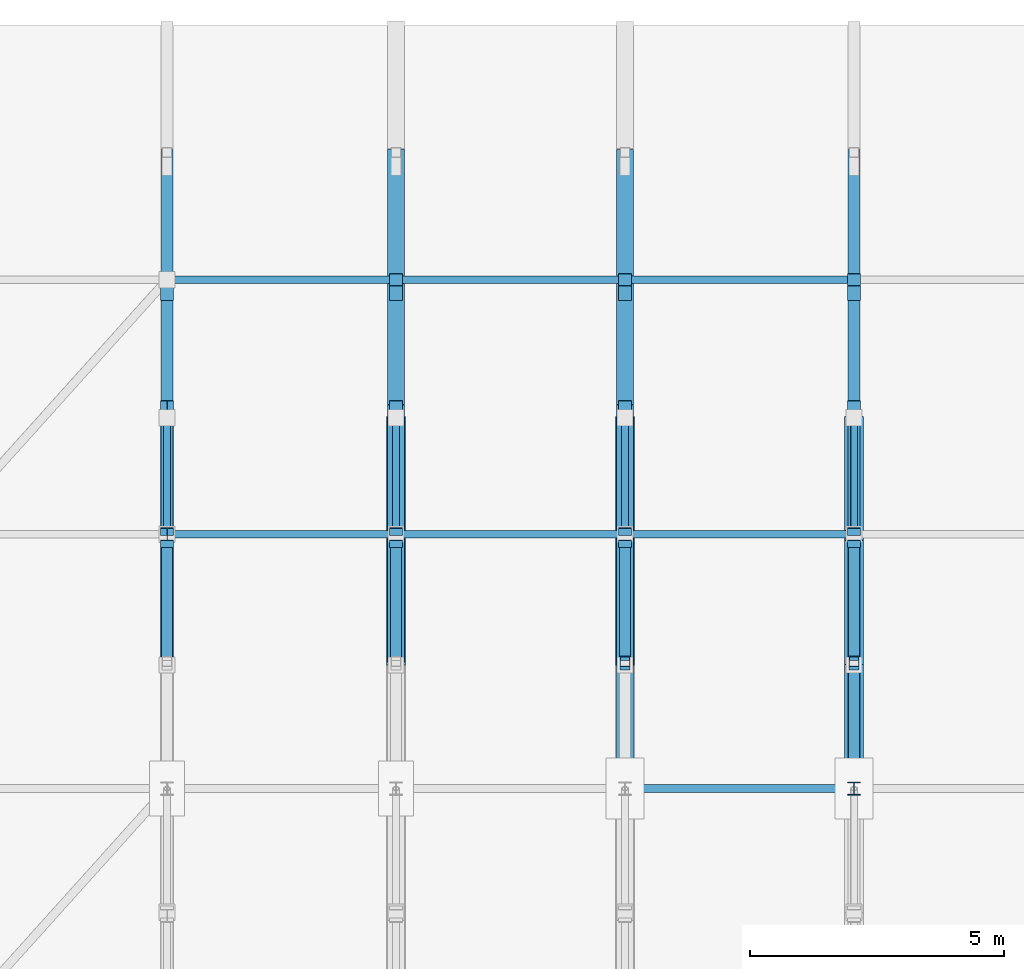
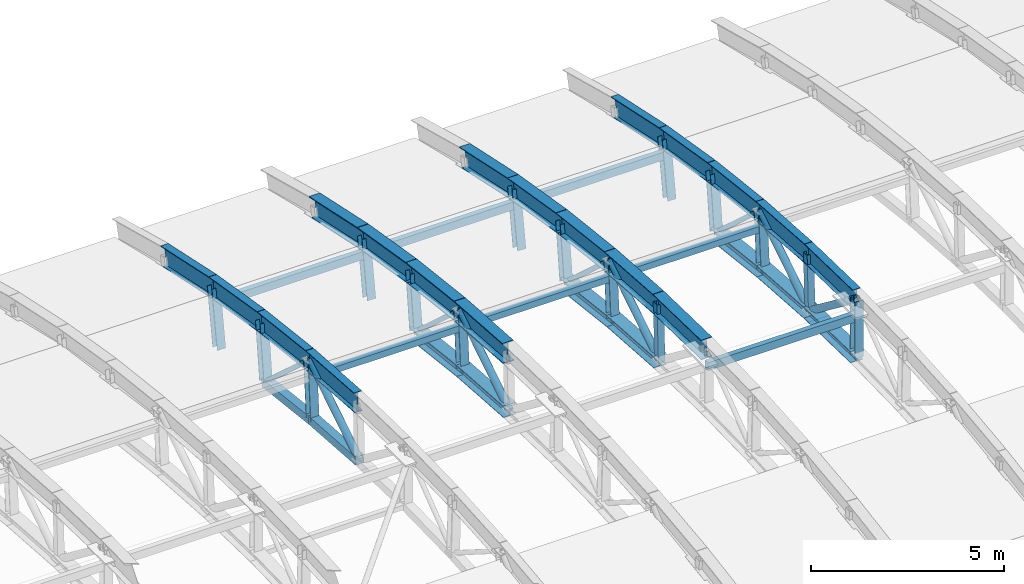
# One storey, part 15 of 53: 40 members, 18 beams.
"""IFC4 building model written with IfcOpenShell, lengths in metres."""

from ifc_helpers import new_model, si_unit, direction, frame, origin, origin_2d, place, context, subcontext, project, spatial, hollow_rectangle, hollow_circle, i_section, extrude, material, material_profile, profile_set, type_object, element, save


model = new_model("IFC4")

# Units and contexts
model_context = context("Model", 3, precision=1e-05, world=origin(), true_north=direction((0.0, 1.0)))
body_context = subcontext(model_context, "Body", "Model", "MODEL_VIEW")
ifc_project = project(units=[si_unit("LENGTHUNIT", "METRE"), si_unit("AREAUNIT", "SQUARE_METRE"), si_unit("VOLUMEUNIT", "CUBIC_METRE"), si_unit("PLANEANGLEUNIT", "RADIAN"), si_unit("MASSUNIT", "GRAM", prefix="KILO")], contexts=[model_context])

# Site, building, storey
site_placement = place(None, origin())
site = spatial("IfcSite", under=ifc_project, at=site_placement, CompositionType="ELEMENT")
building_placement = place(site_placement, origin())
building = spatial("IfcBuilding", under=site, at=building_placement, Name="Cazmaro Siding Exhibition Halls", CompositionType="ELEMENT")
storey_placement = place(building_placement, frame((0.0, 0.0, 21.0)))
storey = spatial("IfcBuildingStorey", under=building, at=storey_placement, Name="L04", CompositionType="ELEMENT", Elevation=21.0)

# Beams
ifc_material_1 = material(Name="Steel ASTM A992 Grade 50", Category="steel")
ifc_material_profile_1 = material_profile(ifc_material_1, i_section(OverallWidth=0.327880859375, OverallDepth=0.626953125, WebThickness=0.01708984375, FlangeThickness=0.028076171875, at=origin_2d()), Name="W24X146")
ifc_profile_set_1 = profile_set([ifc_material_profile_1], Name="Steel ASTM A992 Grade 50")
beam_type_1 = type_object("IfcBeamType", Name="AR-01", PredefinedType="USERDEFINED", material=ifc_profile_set_1)
beam_1_placement = place(storey_placement, frame((85.5, 96.5, 2.44189453125), z_axis=(0.0, 0.997537204184, -0.070139334669), x_axis=(-1.0, 0.0, 0.0)))
element("IfcBeam", 1, at=beam_1_placement, inside=storey, type_object=beam_type_1, Name="Space frame barrel vault arched rib AR-01 BM-0764", ObjectType="ARCHED RIB", PredefinedType="USERDEFINED", context=body_context, shape_type="SweptSolid", body=[
    extrude(i_section(OverallWidth=0.327880859375, OverallDepth=0.626953125, WebThickness=0.01708984375, FlangeThickness=0.028076171875, at=origin_2d()), origin(), (0.0, 0.0, 1.0), 2.506103515625),
])
beam_2_placement = place(storey_placement, frame((85.5, 99.0, 2.26611328125), z_axis=(0.0, 0.993147293786, -0.116869383693), x_axis=(-1.0, 0.0, 0.0)))
element("IfcBeam", 2, at=beam_2_placement, inside=storey, type_object=beam_type_1, Name="Space frame barrel vault arched rib AR-01 BM-0765", ObjectType="ARCHED RIB", PredefinedType="USERDEFINED", context=body_context, shape_type="SweptSolid", body=[
    extrude(i_section(OverallWidth=0.327880859375, OverallDepth=0.626953125, WebThickness=0.01708984375, FlangeThickness=0.028076171875, at=origin_2d()), origin(), (0.0, 0.0, 1.0), 2.517333984375),
])
beam_3_placement = place(storey_placement, frame((85.5, 101.5, 1.971923828125), z_axis=(0.0, 0.98649787474, -0.163774061236), x_axis=(-1.0, 0.0, 0.0)))
element("IfcBeam", 3, at=beam_3_placement, inside=storey, type_object=beam_type_1, Name="Space frame barrel vault arched rib AR-01 BM-0766", ObjectType="ARCHED RIB", PredefinedType="USERDEFINED", context=body_context, shape_type="SweptSolid", body=[
    extrude(i_section(OverallWidth=0.327880859375, OverallDepth=0.626953125, WebThickness=0.01708984375, FlangeThickness=0.028076171875, at=origin_2d()), origin(), (0.0, 0.0, 1.0), 2.5341796875),
])
beam_4_placement = place(storey_placement, frame((85.5, 104.0, 1.556884765625), z_axis=(0.0, 0.977710100146, -0.209959424826), x_axis=(-1.0, 0.0, 0.0)))
element("IfcBeam", 4, at=beam_4_placement, inside=storey, type_object=beam_type_1, Name="Space frame barrel vault arched rib AR-01 BM-0767", ObjectType="ARCHED RIB", PredefinedType="USERDEFINED", context=body_context, shape_type="SweptSolid", body=[
    extrude(i_section(OverallWidth=0.327880859375, OverallDepth=0.626953125, WebThickness=0.01708984375, FlangeThickness=0.028076171875, at=origin_2d()), origin(), (0.0, 0.0, 1.0), 2.556884765625),
])
ifc_material_2 = material(Name="Steel ASTM A992 Grade 50", Category="steel")
ifc_material_profile_2 = material_profile(ifc_material_2, i_section(OverallWidth=0.324951171875, OverallDepth=0.612060546875, WebThickness=0.012939453125, FlangeThickness=0.01904296875, at=origin_2d()), Name="W24X104")
ifc_profile_set_2 = profile_set([ifc_material_profile_2], Name="Steel ASTM A992 Grade 50")
beam_type_2 = type_object("IfcBeamType", Name="AR-02", PredefinedType="USERDEFINED", material=ifc_profile_set_2)
beam_5_placement = place(storey_placement, frame((90.0, 94.0, 2.5), z_axis=(0.0, 0.999730009742, -0.023235912336), x_axis=(-1.0, 0.0, 0.0)))
element("IfcBeam", 5, at=beam_5_placement, inside=storey, type_object=beam_type_2, Name="Space frame barrel vault arched rib AR-02 BM-0787", ObjectType="ARCHED RIB", PredefinedType="USERDEFINED", context=body_context, shape_type="SweptSolid", body=[
    extrude(i_section(OverallWidth=0.324951171875, OverallDepth=0.612060546875, WebThickness=0.012939453125, FlangeThickness=0.01904296875, at=origin_2d()), origin(), (0.0, 0.0, 1.0), 2.500732421875),
])
beam_6_placement = place(storey_placement, frame((90.0, 96.5, 2.44189453125), z_axis=(0.0, 0.997537204184, -0.070139334669), x_axis=(-1.0, 0.0, 0.0)))
element("IfcBeam", 6, at=beam_6_placement, inside=storey, type_object=beam_type_2, Name="Space frame barrel vault arched rib AR-02 BM-0788", ObjectType="ARCHED RIB", PredefinedType="USERDEFINED", context=body_context, shape_type="SweptSolid", body=[
    extrude(i_section(OverallWidth=0.324951171875, OverallDepth=0.612060546875, WebThickness=0.012939453125, FlangeThickness=0.01904296875, at=origin_2d()), origin(), (0.0, 0.0, 1.0), 2.506103515625),
])
beam_7_placement = place(storey_placement, frame((90.0, 99.0, 2.26611328125), z_axis=(0.0, 0.993147293786, -0.116869383693), x_axis=(-1.0, 0.0, 0.0)))
element("IfcBeam", 7, at=beam_7_placement, inside=storey, type_object=beam_type_2, Name="Space frame barrel vault arched rib AR-02 BM-0789", ObjectType="ARCHED RIB", PredefinedType="USERDEFINED", context=body_context, shape_type="SweptSolid", body=[
    extrude(i_section(OverallWidth=0.324951171875, OverallDepth=0.612060546875, WebThickness=0.012939453125, FlangeThickness=0.01904296875, at=origin_2d()), origin(), (0.0, 0.0, 1.0), 2.517333984375),
])
beam_8_placement = place(storey_placement, frame((90.0, 101.5, 1.971923828125), z_axis=(0.0, 0.98649787474, -0.163774061236), x_axis=(-1.0, 0.0, 0.0)))
element("IfcBeam", 8, at=beam_8_placement, inside=storey, type_object=beam_type_2, Name="Space frame barrel vault arched rib AR-02 BM-0790", ObjectType="ARCHED RIB", PredefinedType="USERDEFINED", context=body_context, shape_type="SweptSolid", body=[
    extrude(i_section(OverallWidth=0.324951171875, OverallDepth=0.612060546875, WebThickness=0.012939453125, FlangeThickness=0.01904296875, at=origin_2d()), origin(), (0.0, 0.0, 1.0), 2.5341796875),
])
beam_9_placement = place(storey_placement, frame((90.0, 104.0, 1.556884765625), z_axis=(0.0, 0.977710100146, -0.209959424826), x_axis=(-1.0, 0.0, 0.0)))
element("IfcBeam", 9, at=beam_9_placement, inside=storey, type_object=beam_type_2, Name="Space frame barrel vault arched rib AR-02 BM-0791", ObjectType="ARCHED RIB", PredefinedType="USERDEFINED", context=body_context, shape_type="SweptSolid", body=[
    extrude(i_section(OverallWidth=0.324951171875, OverallDepth=0.612060546875, WebThickness=0.012939453125, FlangeThickness=0.01904296875, at=origin_2d()), origin(), (0.0, 0.0, 1.0), 2.556884765625),
])
ifc_material_3 = material(Name="Steel ASTM A992 Grade 50", Category="steel")
ifc_material_profile_3 = material_profile(ifc_material_3, i_section(OverallWidth=0.22900390625, OverallDepth=0.612060546875, WebThickness=0.011962890625, FlangeThickness=0.02001953125, at=origin_2d()), Name="W24X84")
ifc_profile_set_3 = profile_set([ifc_material_profile_3], Name="Steel ASTM A992 Grade 50")
beam_type_3 = type_object("IfcBeamType", Name="AR-03", PredefinedType="USERDEFINED", material=ifc_profile_set_3)
beam_10_placement = place(storey_placement, frame((81.0, 96.5, 2.44189453125), z_axis=(0.0, 0.997537204184, -0.070139334669), x_axis=(-1.0, 0.0, 0.0)))
element("IfcBeam", 10, at=beam_10_placement, inside=storey, type_object=beam_type_3, Name="Space frame barrel vault arched rib AR-03 BM-0740", ObjectType="ARCHED RIB", PredefinedType="USERDEFINED", context=body_context, shape_type="SweptSolid", body=[
    extrude(i_section(OverallWidth=0.22900390625, OverallDepth=0.612060546875, WebThickness=0.011962890625, FlangeThickness=0.02001953125, at=origin_2d()), origin(), (0.0, 0.0, 1.0), 2.506103515625),
])
beam_11_placement = place(storey_placement, frame((81.0, 99.0, 2.26611328125), z_axis=(0.0, 0.993147293786, -0.116869383693), x_axis=(-1.0, 0.0, 0.0)))
element("IfcBeam", 11, at=beam_11_placement, inside=storey, type_object=beam_type_3, Name="Space frame barrel vault arched rib AR-03 BM-0741", ObjectType="ARCHED RIB", PredefinedType="USERDEFINED", context=body_context, shape_type="SweptSolid", body=[
    extrude(i_section(OverallWidth=0.22900390625, OverallDepth=0.612060546875, WebThickness=0.011962890625, FlangeThickness=0.02001953125, at=origin_2d()), origin(), (0.0, 0.0, 1.0), 2.517333984375),
])
beam_12_placement = place(storey_placement, frame((81.0, 101.5, 1.971923828125), z_axis=(0.0, 0.98649787474, -0.163774061236), x_axis=(-1.0, 0.0, 0.0)))
element("IfcBeam", 12, at=beam_12_placement, inside=storey, type_object=beam_type_3, Name="Space frame barrel vault arched rib AR-03 BM-0742", ObjectType="ARCHED RIB", PredefinedType="USERDEFINED", context=body_context, shape_type="SweptSolid", body=[
    extrude(i_section(OverallWidth=0.22900390625, OverallDepth=0.612060546875, WebThickness=0.011962890625, FlangeThickness=0.02001953125, at=origin_2d()), origin(), (0.0, 0.0, 1.0), 2.5341796875),
])
beam_13_placement = place(storey_placement, frame((81.0, 104.0, 1.556884765625), z_axis=(0.0, 0.977710100146, -0.209959424826), x_axis=(-1.0, 0.0, 0.0)))
element("IfcBeam", 13, at=beam_13_placement, inside=storey, type_object=beam_type_3, Name="Space frame barrel vault arched rib AR-03 BM-0743", ObjectType="ARCHED RIB", PredefinedType="USERDEFINED", context=body_context, shape_type="SweptSolid", body=[
    extrude(i_section(OverallWidth=0.22900390625, OverallDepth=0.612060546875, WebThickness=0.011962890625, FlangeThickness=0.02001953125, at=origin_2d()), origin(), (0.0, 0.0, 1.0), 2.556884765625),
])
beam_14_placement = place(storey_placement, frame((94.5, 94.0, 2.5), z_axis=(0.0, 0.999730009742, -0.023235912336), x_axis=(-1.0, 0.0, 0.0)))
element("IfcBeam", 14, at=beam_14_placement, inside=storey, type_object=beam_type_3, Name="Space frame barrel vault arched rib AR-03 BM-0811", ObjectType="ARCHED RIB", PredefinedType="USERDEFINED", context=body_context, shape_type="SweptSolid", body=[
    extrude(i_section(OverallWidth=0.22900390625, OverallDepth=0.612060546875, WebThickness=0.011962890625, FlangeThickness=0.02001953125, at=origin_2d()), origin(), (0.0, 0.0, 1.0), 2.500732421875),
])
beam_15_placement = place(storey_placement, frame((94.5, 96.5, 2.44189453125), z_axis=(0.0, 0.997537204184, -0.070139334669), x_axis=(-1.0, 0.0, 0.0)))
element("IfcBeam", 15, at=beam_15_placement, inside=storey, type_object=beam_type_3, Name="Space frame barrel vault arched rib AR-03 BM-0812", ObjectType="ARCHED RIB", PredefinedType="USERDEFINED", context=body_context, shape_type="SweptSolid", body=[
    extrude(i_section(OverallWidth=0.22900390625, OverallDepth=0.612060546875, WebThickness=0.011962890625, FlangeThickness=0.02001953125, at=origin_2d()), origin(), (0.0, 0.0, 1.0), 2.506103515625),
])
beam_16_placement = place(storey_placement, frame((94.5, 99.0, 2.26611328125), z_axis=(0.0, 0.993147293786, -0.116869383693), x_axis=(-1.0, 0.0, 0.0)))
element("IfcBeam", 16, at=beam_16_placement, inside=storey, type_object=beam_type_3, Name="Space frame barrel vault arched rib AR-03 BM-0813", ObjectType="ARCHED RIB", PredefinedType="USERDEFINED", context=body_context, shape_type="SweptSolid", body=[
    extrude(i_section(OverallWidth=0.22900390625, OverallDepth=0.612060546875, WebThickness=0.011962890625, FlangeThickness=0.02001953125, at=origin_2d()), origin(), (0.0, 0.0, 1.0), 2.517333984375),
])
beam_17_placement = place(storey_placement, frame((94.5, 101.5, 1.971923828125), z_axis=(0.0, 0.98649787474, -0.163774061236), x_axis=(-1.0, 0.0, 0.0)))
element("IfcBeam", 17, at=beam_17_placement, inside=storey, type_object=beam_type_3, Name="Space frame barrel vault arched rib AR-03 BM-0814", ObjectType="ARCHED RIB", PredefinedType="USERDEFINED", context=body_context, shape_type="SweptSolid", body=[
    extrude(i_section(OverallWidth=0.22900390625, OverallDepth=0.612060546875, WebThickness=0.011962890625, FlangeThickness=0.02001953125, at=origin_2d()), origin(), (0.0, 0.0, 1.0), 2.5341796875),
])
beam_18_placement = place(storey_placement, frame((94.5, 104.0, 1.556884765625), z_axis=(0.0, 0.977710100146, -0.209959424826), x_axis=(-1.0, 0.0, 0.0)))
element("IfcBeam", 18, at=beam_18_placement, inside=storey, type_object=beam_type_3, Name="Space frame barrel vault arched rib AR-03 BM-0815", ObjectType="ARCHED RIB", PredefinedType="USERDEFINED", context=body_context, shape_type="SweptSolid", body=[
    extrude(i_section(OverallWidth=0.22900390625, OverallDepth=0.612060546875, WebThickness=0.011962890625, FlangeThickness=0.02001953125, at=origin_2d()), origin(), (0.0, 0.0, 1.0), 2.556884765625),
])

# Members
ifc_material_4 = material(Name="Steel ASTM A500 Grade C", Category="steel")
ifc_material_profile_4 = material_profile(ifc_material_4, hollow_rectangle(XDim=0.152099609375, YDim=0.202880859375, WallThickness=0.011962890625, at=origin_2d()), Name="HSS8X6X1/2")
ifc_profile_set_4 = profile_set([ifc_material_profile_4], Name="Steel ASTM A500 Grade C")
member_type_1 = type_object("IfcMemberType", Name="RP-01", PredefinedType="PURLIN", material=ifc_profile_set_4)
for number, where, z_axis, x_axis, name in (
    (19, (81.0, 99.0, 1.72607421875), (1.0, 0.0, 0.0), (0.0, 1.0, 0.0), "Space frame barrel vault purlin RP-01 MEM-2070"),
    (20, (85.5, 99.0, 1.72607421875), (1.0, 0.0, 0.0), (0.0, 1.0, 0.0), "Space frame barrel vault purlin RP-01 MEM-2081"),
    (21, (90.0, 99.0, 1.72607421875), (1.0, 0.0, 0.0), (0.0, 1.0, 0.0), "Space frame barrel vault purlin RP-01 MEM-2092"),
):
    element("IfcMember", number, at=place(storey_placement, frame(where, z_axis=z_axis, x_axis=x_axis)), inside=storey, type_object=member_type_1, Name=name, PredefinedType="PURLIN", context=body_context, shape_type="SweptSolid", body=[
        extrude(hollow_rectangle(XDim=0.152099609375, YDim=0.202880859375, WallThickness=0.011962890625, at=origin_2d()), origin(), (0.0, 0.0, 1.0), 4.5),
    ])
ifc_material_5 = material(Name="Steel ASTM A500 Grade C", Category="steel")
ifc_material_profile_5 = material_profile(ifc_material_5, hollow_rectangle(XDim=0.152099609375, YDim=0.25390625, WallThickness=0.011962890625, at=origin_2d()), Name="HSS10X6X1/2")
ifc_profile_set_5 = profile_set([ifc_material_profile_5], Name="Steel ASTM A500 Grade C")
member_type_2 = type_object("IfcMemberType", Name="RP-04", PredefinedType="PURLIN", material=ifc_profile_set_5)
for number, where, z_axis, x_axis, name in (
    (22, (81.0, 104.0, 1.01708984375), (1.0, 0.0, 0.0), (0.0, 1.0, 0.0), "Space frame barrel vault purlin RP-04 MEM-2071"),
    (23, (85.5, 104.0, 1.01708984375), (1.0, 0.0, 0.0), (0.0, 1.0, 0.0), "Space frame barrel vault purlin RP-04 MEM-2082"),
    (24, (90.0, 94.0, 1.9599609375), (1.0, 0.0, 0.0), (0.0, 1.0, 0.0), "Space frame barrel vault purlin RP-04 MEM-2091"),
    (25, (90.0, 104.0, 1.01708984375), (1.0, 0.0, 0.0), (0.0, 1.0, 0.0), "Space frame barrel vault purlin RP-04 MEM-2093"),
):
    element("IfcMember", number, at=place(storey_placement, frame(where, z_axis=z_axis, x_axis=x_axis)), inside=storey, type_object=member_type_2, Name=name, PredefinedType="PURLIN", context=body_context, shape_type="SweptSolid", body=[
        extrude(hollow_rectangle(XDim=0.152099609375, YDim=0.25390625, WallThickness=0.011962890625, at=origin_2d()), origin(), (0.0, 0.0, 1.0), 4.5),
    ])
ifc_material_6 = material(Name="Steel ASTM A500 Grade C", Category="steel")
ifc_material_profile_6 = material_profile(ifc_material_6, hollow_rectangle(XDim=0.25390625, YDim=0.25390625, WallThickness=0.014892578125, at=origin_2d()), Name="HSS10X10X5/8")
ifc_profile_set_6 = profile_set([ifc_material_profile_6], Name="Steel ASTM A500 Grade C")
member_type_3 = type_object("IfcMemberType", Name="TC-01", PredefinedType="CHORD", material=ifc_profile_set_6)
member_1_placement = place(storey_placement, frame((81.0, 96.429931640625, 0.64404296875), z_axis=(0.0, 0.997529419526, -0.070249962135), x_axis=(-1.0, 0.0, 0.0)))
element("IfcMember", 26, at=member_1_placement, inside=storey, type_object=member_type_3, Name="Space frame barrel vault bottom chord TC-01 MEM-0547", PredefinedType="CHORD", context=body_context, shape_type="SweptSolid", body=[
    extrude(hollow_rectangle(XDim=0.25390625, YDim=0.25390625, WallThickness=0.014892578125, at=origin_2d()), origin(), (0.0, 0.0, 1.0), 2.436279296875),
])
member_2_placement = place(storey_placement, frame((81.0, 98.860107421875, 0.472900390625), z_axis=(0.0, 0.993149923187, -0.116847037079), x_axis=(-1.0, 0.0, 0.0)))
element("IfcMember", 27, at=member_2_placement, inside=storey, type_object=member_type_3, Name="Space frame barrel vault bottom chord TC-01 MEM-0549", PredefinedType="CHORD", context=body_context, shape_type="SweptSolid", body=[
    extrude(hollow_rectangle(XDim=0.25390625, YDim=0.25390625, WallThickness=0.014892578125, at=origin_2d()), origin(), (0.0, 0.0, 1.0), 2.44677734375),
])
ifc_material_7 = material(Name="Steel ASTM A992 Grade 50", Category="steel")
ifc_material_profile_7 = material_profile(ifc_material_7, i_section(OverallWidth=0.37109375, OverallDepth=0.364013671875, WebThickness=0.012939453125, FlangeThickness=0.02197265625, at=origin_2d()), Name="W14X109")
ifc_profile_set_7 = profile_set([ifc_material_profile_7], Name="Steel ASTM A992 Grade 50")
member_type_4 = type_object("IfcMemberType", Name="TC-06", PredefinedType="CHORD", material=ifc_profile_set_7)
member_3_placement = place(storey_placement, frame((85.5, 96.429931640625, 0.64404296875), z_axis=(0.0, 0.997529419526, -0.070249962135), x_axis=(-1.0, 0.0, 0.0)))
element("IfcMember", 28, at=member_3_placement, inside=storey, type_object=member_type_4, Name="Space frame barrel vault bottom chord TC-06 MEM-0618", PredefinedType="CHORD", context=body_context, shape_type="SweptSolid", body=[
    extrude(i_section(OverallWidth=0.37109375, OverallDepth=0.364013671875, WebThickness=0.012939453125, FlangeThickness=0.02197265625, at=origin_2d()), origin(), (0.0, 0.0, 1.0), 2.436279296875),
])
member_4_placement = place(storey_placement, frame((85.5, 98.860107421875, 0.472900390625), z_axis=(0.0, 0.993149923187, -0.116847037079), x_axis=(-1.0, 0.0, 0.0)))
element("IfcMember", 29, at=member_4_placement, inside=storey, type_object=member_type_4, Name="Space frame barrel vault bottom chord TC-06 MEM-0620", PredefinedType="CHORD", context=body_context, shape_type="SweptSolid", body=[
    extrude(i_section(OverallWidth=0.37109375, OverallDepth=0.364013671875, WebThickness=0.012939453125, FlangeThickness=0.02197265625, at=origin_2d()), origin(), (0.0, 0.0, 1.0), 2.44677734375),
])
member_5_placement = place(storey_placement, frame((90.0, 96.429931640625, 0.64404296875), z_axis=(0.0, 0.997529419526, -0.070249962135), x_axis=(-1.0, 0.0, 0.0)))
element("IfcMember", 30, at=member_5_placement, inside=storey, type_object=member_type_4, Name="Space frame barrel vault bottom chord TC-06 MEM-0689", PredefinedType="CHORD", context=body_context, shape_type="SweptSolid", body=[
    extrude(i_section(OverallWidth=0.37109375, OverallDepth=0.364013671875, WebThickness=0.012939453125, FlangeThickness=0.02197265625, at=origin_2d()), origin(), (0.0, 0.0, 1.0), 2.436279296875),
])
member_6_placement = place(storey_placement, frame((90.0, 98.860107421875, 0.472900390625), z_axis=(0.0, 0.993149923187, -0.116847037079), x_axis=(-1.0, 0.0, 0.0)))
element("IfcMember", 31, at=member_6_placement, inside=storey, type_object=member_type_4, Name="Space frame barrel vault bottom chord TC-06 MEM-0691", PredefinedType="CHORD", context=body_context, shape_type="SweptSolid", body=[
    extrude(i_section(OverallWidth=0.37109375, OverallDepth=0.364013671875, WebThickness=0.012939453125, FlangeThickness=0.02197265625, at=origin_2d()), origin(), (0.0, 0.0, 1.0), 2.44677734375),
])
member_7_placement = place(storey_placement, frame((94.5, 94.0, 0.699951171875), z_axis=(0.0, 0.99973541783, -0.023002050707), x_axis=(-1.0, 0.0, 0.0)))
element("IfcMember", 32, at=member_7_placement, inside=storey, type_object=member_type_4, Name="Space frame barrel vault bottom chord TC-06 MEM-0758", PredefinedType="CHORD", context=body_context, shape_type="SweptSolid", body=[
    extrude(i_section(OverallWidth=0.37109375, OverallDepth=0.364013671875, WebThickness=0.012939453125, FlangeThickness=0.02197265625, at=origin_2d()), origin(), (0.0, 0.0, 1.0), 2.4306640625),
])
member_8_placement = place(storey_placement, frame((94.5, 96.429931640625, 0.64404296875), z_axis=(0.0, 0.997529419526, -0.070249962135), x_axis=(-1.0, 0.0, 0.0)))
element("IfcMember", 33, at=member_8_placement, inside=storey, type_object=member_type_4, Name="Space frame barrel vault bottom chord TC-06 MEM-0760", PredefinedType="CHORD", context=body_context, shape_type="SweptSolid", body=[
    extrude(i_section(OverallWidth=0.37109375, OverallDepth=0.364013671875, WebThickness=0.012939453125, FlangeThickness=0.02197265625, at=origin_2d()), origin(), (0.0, 0.0, 1.0), 2.436279296875),
])
member_9_placement = place(storey_placement, frame((94.5, 98.860107421875, 0.472900390625), z_axis=(0.0, 0.993149923187, -0.116847037079), x_axis=(-1.0, 0.0, 0.0)))
element("IfcMember", 34, at=member_9_placement, inside=storey, type_object=member_type_4, Name="Space frame barrel vault bottom chord TC-06 MEM-0762", PredefinedType="CHORD", context=body_context, shape_type="SweptSolid", body=[
    extrude(i_section(OverallWidth=0.37109375, OverallDepth=0.364013671875, WebThickness=0.012939453125, FlangeThickness=0.02197265625, at=origin_2d()), origin(), (0.0, 0.0, 1.0), 2.44677734375),
])
ifc_material_8 = material(Name="Steel ASTM A500 Grade C", Category="steel")
ifc_material_profile_8 = material_profile(ifc_material_8, hollow_rectangle(XDim=0.202880859375, YDim=0.202880859375, WallThickness=0.011962890625, at=origin_2d()), Name="HSS8X8X1/2")
ifc_profile_set_8 = profile_set([ifc_material_profile_8], Name="Steel ASTM A500 Grade C")
member_type_5 = type_object("IfcMemberType", Name="TP-01", PredefinedType="POST", material=ifc_profile_set_8)
for number, where, z_axis, x_axis, name in (
    (35, (90.0, 96.429931640625, 0.64404296875), (0.0, 0.038943818889, 0.999241401749), (-1.0, 0.0, 0.0), "Space frame barrel vault post TP-01 MEM-0723"),
    (36, (94.5, 96.429931640625, 0.64404296875), (0.0, 0.038943818889, 0.999241401749), (-1.0, 0.0, 0.0), "Space frame barrel vault post TP-01 MEM-0794"),
):
    element("IfcMember", number, at=place(storey_placement, frame(where, z_axis=z_axis, x_axis=x_axis)), inside=storey, type_object=member_type_5, Name=name, PredefinedType="POST", context=body_context, shape_type="SweptSolid", body=[
        extrude(hollow_rectangle(XDim=0.202880859375, YDim=0.202880859375, WallThickness=0.011962890625, at=origin_2d()), origin(), (0.0, 0.0, 1.0), 1.79931640625),
    ])
ifc_material_9 = material(Name="Steel ASTM A992 Grade 50", Category="steel")
ifc_material_profile_9 = material_profile(ifc_material_9, i_section(OverallWidth=0.25390625, OverallDepth=0.25390625, WebThickness=0.009033203125, FlangeThickness=0.013916015625, at=origin_2d()), Name="W10X49")
ifc_profile_set_9 = profile_set([ifc_material_profile_9], Name="Steel ASTM A992 Grade 50")
member_type_6 = type_object("IfcMemberType", Name="TP-04", PredefinedType="POST", material=ifc_profile_set_9)
member_10_placement = place(storey_placement, frame((81.0, 98.860107421875, 0.472900390625), z_axis=(0.0, 0.077775943468, 0.996970863475), x_axis=(-1.0, 0.0, 0.0)))
element("IfcMember", 37, at=member_10_placement, inside=storey, type_object=member_type_6, Name="Space frame barrel vault post TP-04 MEM-0582", PredefinedType="POST", context=body_context, shape_type="SweptSolid", body=[
    extrude(i_section(OverallWidth=0.25390625, OverallDepth=0.25390625, WebThickness=0.009033203125, FlangeThickness=0.013916015625, at=origin_2d()), origin(), (0.0, 0.0, 1.0), 1.798583984375),
])
member_11_placement = place(storey_placement, frame((81.0, 101.2900390625, 0.18701171875), z_axis=(0.0, 0.116825484133, 0.993152458718), x_axis=(-1.0, 0.0, 0.0)))
element("IfcMember", 38, at=member_11_placement, inside=storey, type_object=member_type_6, Name="Space frame barrel vault post TP-04 MEM-0583", PredefinedType="POST", context=body_context, shape_type="SweptSolid", body=[
    extrude(i_section(OverallWidth=0.25390625, OverallDepth=0.25390625, WebThickness=0.009033203125, FlangeThickness=0.013916015625, at=origin_2d()), origin(), (0.0, 0.0, 1.0), 1.797119140625),
])
member_12_placement = place(storey_placement, frame((81.0, 103.719970703125, -0.217041015625), z_axis=(0.0, 0.155927668857, 0.987768475952), x_axis=(-1.0, 0.0, 0.0)))
element("IfcMember", 39, at=member_12_placement, inside=storey, type_object=member_type_6, Name="Space frame barrel vault post TP-04 MEM-0584", PredefinedType="POST", context=body_context, shape_type="SweptSolid", body=[
    extrude(i_section(OverallWidth=0.25390625, OverallDepth=0.25390625, WebThickness=0.009033203125, FlangeThickness=0.013916015625, at=origin_2d()), origin(), (0.0, 0.0, 1.0), 1.7958984375),
])
member_13_placement = place(storey_placement, frame((85.5, 98.860107421875, 0.472900390625), z_axis=(0.0, 0.077775943468, 0.996970863475), x_axis=(-1.0, 0.0, 0.0)))
element("IfcMember", 40, at=member_13_placement, inside=storey, type_object=member_type_6, Name="Space frame barrel vault post TP-04 MEM-0653", PredefinedType="POST", context=body_context, shape_type="SweptSolid", body=[
    extrude(i_section(OverallWidth=0.25390625, OverallDepth=0.25390625, WebThickness=0.009033203125, FlangeThickness=0.013916015625, at=origin_2d()), origin(), (0.0, 0.0, 1.0), 1.798583984375),
])
member_14_placement = place(storey_placement, frame((85.5, 101.2900390625, 0.18701171875), z_axis=(0.0, 0.116825484133, 0.993152458718), x_axis=(-1.0, 0.0, 0.0)))
element("IfcMember", 41, at=member_14_placement, inside=storey, type_object=member_type_6, Name="Space frame barrel vault post TP-04 MEM-0654", PredefinedType="POST", context=body_context, shape_type="SweptSolid", body=[
    extrude(i_section(OverallWidth=0.25390625, OverallDepth=0.25390625, WebThickness=0.009033203125, FlangeThickness=0.013916015625, at=origin_2d()), origin(), (0.0, 0.0, 1.0), 1.797119140625),
])
member_15_placement = place(storey_placement, frame((85.5, 103.719970703125, -0.217041015625), z_axis=(0.0, 0.155927668857, 0.987768475952), x_axis=(-1.0, 0.0, 0.0)))
element("IfcMember", 42, at=member_15_placement, inside=storey, type_object=member_type_6, Name="Space frame barrel vault post TP-04 MEM-0655", PredefinedType="POST", context=body_context, shape_type="SweptSolid", body=[
    extrude(i_section(OverallWidth=0.25390625, OverallDepth=0.25390625, WebThickness=0.009033203125, FlangeThickness=0.013916015625, at=origin_2d()), origin(), (0.0, 0.0, 1.0), 1.7958984375),
])
member_16_placement = place(storey_placement, frame((90.0, 98.860107421875, 0.472900390625), z_axis=(0.0, 0.077775943468, 0.996970863475), x_axis=(-1.0, 0.0, 0.0)))
element("IfcMember", 43, at=member_16_placement, inside=storey, type_object=member_type_6, Name="Space frame barrel vault post TP-04 MEM-0724", PredefinedType="POST", context=body_context, shape_type="SweptSolid", body=[
    extrude(i_section(OverallWidth=0.25390625, OverallDepth=0.25390625, WebThickness=0.009033203125, FlangeThickness=0.013916015625, at=origin_2d()), origin(), (0.0, 0.0, 1.0), 1.798583984375),
])
member_17_placement = place(storey_placement, frame((90.0, 101.2900390625, 0.18701171875), z_axis=(0.0, 0.116825484133, 0.993152458718), x_axis=(-1.0, 0.0, 0.0)))
element("IfcMember", 44, at=member_17_placement, inside=storey, type_object=member_type_6, Name="Space frame barrel vault post TP-04 MEM-0725", PredefinedType="POST", context=body_context, shape_type="SweptSolid", body=[
    extrude(i_section(OverallWidth=0.25390625, OverallDepth=0.25390625, WebThickness=0.009033203125, FlangeThickness=0.013916015625, at=origin_2d()), origin(), (0.0, 0.0, 1.0), 1.797119140625),
])
member_18_placement = place(storey_placement, frame((90.0, 103.719970703125, -0.217041015625), z_axis=(0.0, 0.155927668857, 0.987768475952), x_axis=(-1.0, 0.0, 0.0)))
element("IfcMember", 45, at=member_18_placement, inside=storey, type_object=member_type_6, Name="Space frame barrel vault post TP-04 MEM-0726", PredefinedType="POST", context=body_context, shape_type="SweptSolid", body=[
    extrude(i_section(OverallWidth=0.25390625, OverallDepth=0.25390625, WebThickness=0.009033203125, FlangeThickness=0.013916015625, at=origin_2d()), origin(), (0.0, 0.0, 1.0), 1.7958984375),
])
member_19_placement = place(storey_placement, frame((94.5, 94.0, 0.699951171875), z_axis=(0.0, 0.0, 1.0), x_axis=(1.0, 0.0, 0.0)))
element("IfcMember", 46, at=member_19_placement, inside=storey, type_object=member_type_6, Name="Space frame barrel vault post TP-04 MEM-0793", PredefinedType="POST", context=body_context, shape_type="SweptSolid", body=[
    extrude(i_section(OverallWidth=0.25390625, OverallDepth=0.25390625, WebThickness=0.009033203125, FlangeThickness=0.013916015625, at=origin_2d()), origin(), (0.0, 0.0, 1.0), 1.800048828125),
])
member_20_placement = place(storey_placement, frame((94.5, 98.860107421875, 0.472900390625), z_axis=(0.0, 0.077775943468, 0.996970863475), x_axis=(-1.0, 0.0, 0.0)))
element("IfcMember", 47, at=member_20_placement, inside=storey, type_object=member_type_6, Name="Space frame barrel vault post TP-04 MEM-0795", PredefinedType="POST", context=body_context, shape_type="SweptSolid", body=[
    extrude(i_section(OverallWidth=0.25390625, OverallDepth=0.25390625, WebThickness=0.009033203125, FlangeThickness=0.013916015625, at=origin_2d()), origin(), (0.0, 0.0, 1.0), 1.798583984375),
])
member_21_placement = place(storey_placement, frame((94.5, 101.2900390625, 0.18701171875), z_axis=(0.0, 0.116825484133, 0.993152458718), x_axis=(-1.0, 0.0, 0.0)))
element("IfcMember", 48, at=member_21_placement, inside=storey, type_object=member_type_6, Name="Space frame barrel vault post TP-04 MEM-0796", PredefinedType="POST", context=body_context, shape_type="SweptSolid", body=[
    extrude(i_section(OverallWidth=0.25390625, OverallDepth=0.25390625, WebThickness=0.009033203125, FlangeThickness=0.013916015625, at=origin_2d()), origin(), (0.0, 0.0, 1.0), 1.797119140625),
])
member_22_placement = place(storey_placement, frame((94.5, 103.719970703125, -0.217041015625), z_axis=(0.0, 0.155927668857, 0.987768475952), x_axis=(-1.0, 0.0, 0.0)))
element("IfcMember", 49, at=member_22_placement, inside=storey, type_object=member_type_6, Name="Space frame barrel vault post TP-04 MEM-0797", PredefinedType="POST", context=body_context, shape_type="SweptSolid", body=[
    extrude(i_section(OverallWidth=0.25390625, OverallDepth=0.25390625, WebThickness=0.009033203125, FlangeThickness=0.013916015625, at=origin_2d()), origin(), (0.0, 0.0, 1.0), 1.7958984375),
])
ifc_material_10 = material(Name="Steel ASTM A500 Grade C", Category="steel")
ifc_material_profile_10 = material_profile(ifc_material_10, hollow_circle(Radius=0.109619140625, WallThickness=0.012939453125, at=origin_2d()), Name="PIPE8XS")
ifc_profile_set_10 = profile_set([ifc_material_profile_10], Name="Steel ASTM A500 Grade C")
member_type_7 = type_object("IfcMemberType", Name="WB-01", PredefinedType="BRACE", material=ifc_profile_set_10)
for number, where, z_axis, x_axis, name in (
    (50, (81.0, 96.429931640625, 0.64404296875), (0.0, 0.84565684294, 0.533726993872), (-1.0, 0.0, 0.0), "Space frame barrel vault diagonal WB-01 MEM-0548"),
    (51, (85.5, 96.429931640625, 0.64404296875), (0.0, 0.84565684294, 0.533726993872), (-1.0, 0.0, 0.0), "Space frame barrel vault diagonal WB-01 MEM-0619"),
    (52, (90.0, 96.429931640625, 0.64404296875), (0.0, 0.84565684294, 0.533726993872), (-1.0, 0.0, 0.0), "Space frame barrel vault diagonal WB-01 MEM-0690"),
):
    element("IfcMember", number, at=place(storey_placement, frame(where, z_axis=z_axis, x_axis=x_axis)), inside=storey, type_object=member_type_7, Name=name, PredefinedType="BRACE", context=body_context, shape_type="SweptSolid", body=[
        extrude(hollow_circle(Radius=0.109619140625, WallThickness=0.012939453125, at=origin_2d()), origin(), (0.0, 0.0, 1.0), 3.0390625),
    ])
member_23_placement = place(storey_placement, frame((94.5, 94.0, 2.5), z_axis=(0.0, 0.794708988455, -0.60699062898), x_axis=(-1.0, 0.0, 0.0)))
element("IfcMember", 53, at=member_23_placement, inside=storey, type_object=member_type_7, Name="Space frame barrel vault diagonal WB-01 MEM-0759", PredefinedType="BRACE", context=body_context, shape_type="SweptSolid", body=[
    extrude(hollow_circle(Radius=0.109619140625, WallThickness=0.012939453125, at=origin_2d()), origin(), (0.0, 0.0, 1.0), 3.0576171875),
])
member_24_placement = place(storey_placement, frame((94.5, 96.429931640625, 0.64404296875), z_axis=(0.0, 0.84565684294, 0.533726993872), x_axis=(-1.0, 0.0, 0.0)))
element("IfcMember", 54, at=member_24_placement, inside=storey, type_object=member_type_7, Name="Space frame barrel vault diagonal WB-01 MEM-0761", PredefinedType="BRACE", context=body_context, shape_type="SweptSolid", body=[
    extrude(hollow_circle(Radius=0.109619140625, WallThickness=0.012939453125, at=origin_2d()), origin(), (0.0, 0.0, 1.0), 3.0390625),
])
ifc_material_11 = material(Name="Steel ASTM A500 Grade C", Category="steel")
ifc_material_profile_11 = material_profile(ifc_material_11, hollow_circle(Radius=0.070556640625, WallThickness=0.01904296875, at=origin_2d()), Name="PIPE5XXS")
ifc_profile_set_11 = profile_set([ifc_material_profile_11], Name="Steel ASTM A500 Grade C")
member_type_8 = type_object("IfcMemberType", Name="WB-07", PredefinedType="BRACE", material=ifc_profile_set_11)
for number, where, z_axis, x_axis, name in (
    (55, (81.0, 99.0, 2.26611328125), (0.0, 0.740382789782, -0.672185483772), (-1.0, 0.0, 0.0), "Space frame barrel vault diagonal WB-07 MEM-0550"),
    (56, (85.5, 99.0, 2.26611328125), (0.0, 0.740382789782, -0.672185483772), (-1.0, 0.0, 0.0), "Space frame barrel vault diagonal WB-07 MEM-0621"),
    (57, (90.0, 99.0, 2.26611328125), (0.0, 0.740382789782, -0.672185483772), (-1.0, 0.0, 0.0), "Space frame barrel vault diagonal WB-07 MEM-0692"),
    (58, (94.5, 99.0, 2.26611328125), (0.0, 0.740382789782, -0.672185483772), (-1.0, 0.0, 0.0), "Space frame barrel vault diagonal WB-07 MEM-0763"),
):
    element("IfcMember", number, at=place(storey_placement, frame(where, z_axis=z_axis, x_axis=x_axis)), inside=storey, type_object=member_type_8, Name=name, PredefinedType="BRACE", context=body_context, shape_type="SweptSolid", body=[
        extrude(hollow_circle(Radius=0.070556640625, WallThickness=0.01904296875, at=origin_2d()), origin(), (0.0, 0.0, 1.0), 3.093017578125),
    ])

save(model, "model.ifc")
